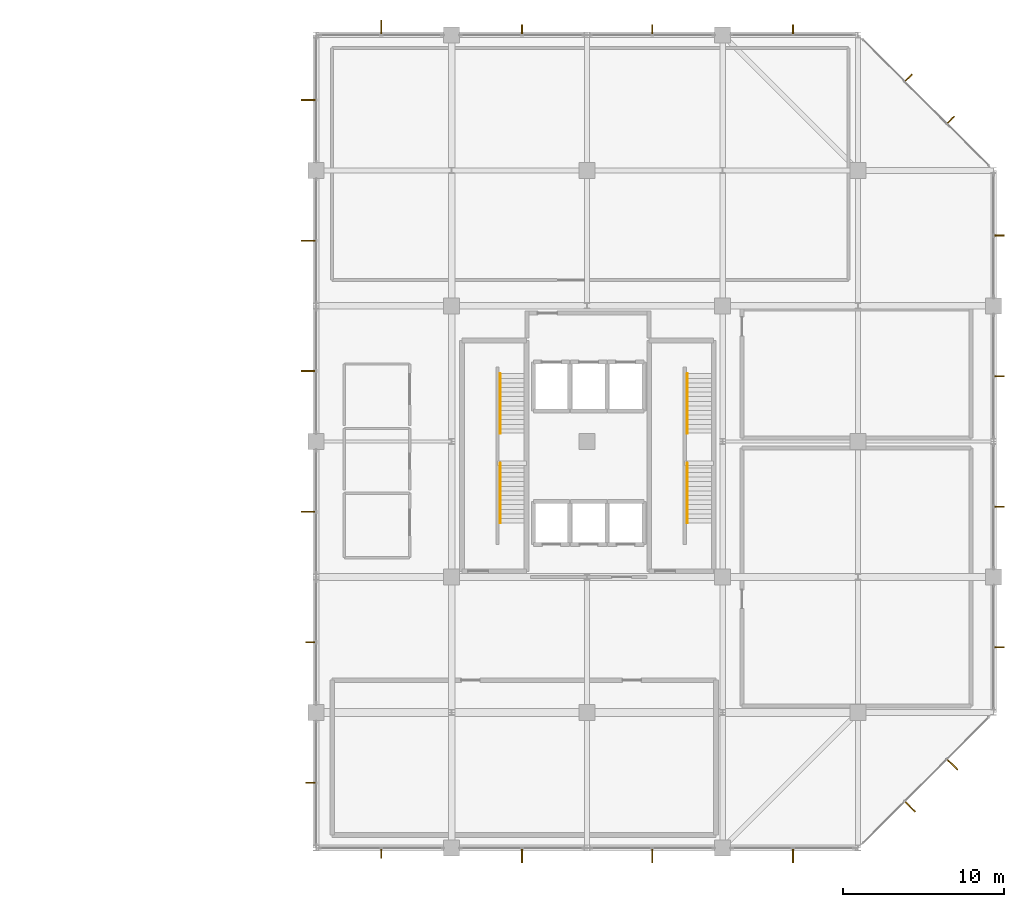
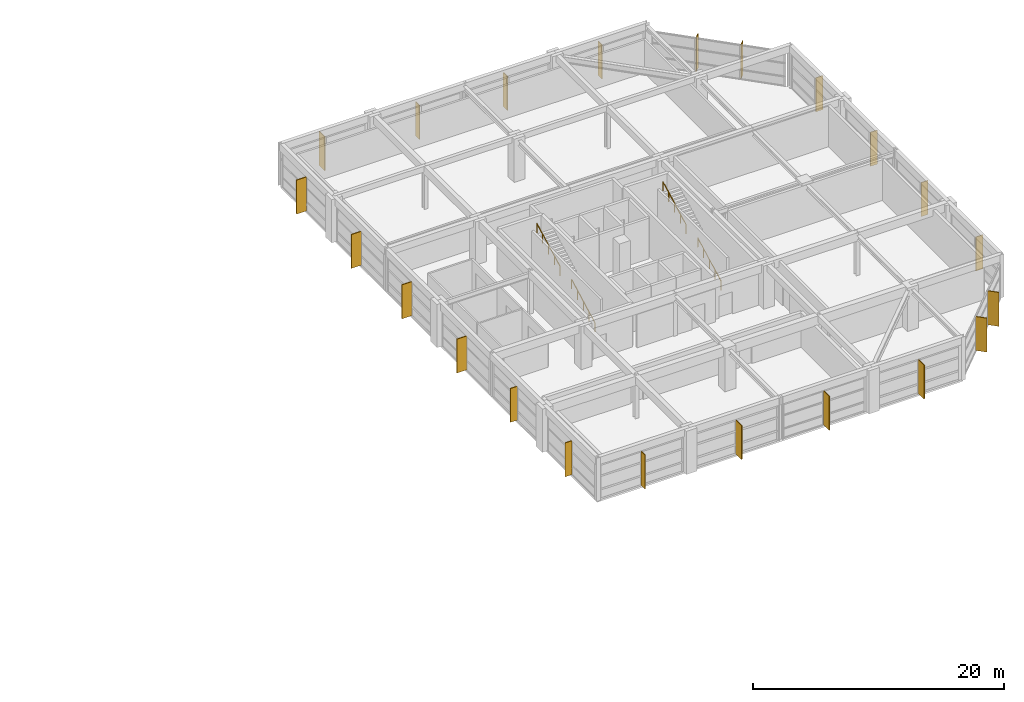
# One storey, part 32 of 32: 22 shading devices, 4 railings.
"""IFC4 building model written with IfcOpenShell, lengths in metres."""

from ifc_helpers import new_model, si_unit, direction, frame, origin, origin_2d, place, context, subcontext, project, spatial, rectangle, circle, extrude, material, type_object, element, save


model = new_model("IFC4")

# Units and contexts
model_context = context("Model", 3, precision=1e-05, world=origin(), true_north=direction((0.0, 1.0)))
body_context = subcontext(model_context, "Body", "Model", "MODEL_VIEW")
ifc_project = project(units=[si_unit("LENGTHUNIT", "METRE"), si_unit("AREAUNIT", "SQUARE_METRE"), si_unit("VOLUMEUNIT", "CUBIC_METRE"), si_unit("PLANEANGLEUNIT", "RADIAN"), si_unit("MASSUNIT", "GRAM", prefix="KILO")], contexts=[model_context])

# Site, building, storey
site_placement = place(None, origin())
site = spatial("IfcSite", under=ifc_project, at=site_placement, CompositionType="ELEMENT")
building_placement = place(site_placement, origin())
building = spatial("IfcBuilding", under=site, at=building_placement, Name="Xuanlan Plaza Opera House", CompositionType="ELEMENT")
storey_placement = place(building_placement, frame((0.0, 0.0, 40.5)))
storey = spatial("IfcBuildingStorey", under=building, at=storey_placement, Name="L09", CompositionType="ELEMENT", Elevation=40.5)

# Shading devices
ifc_material_1 = material(Name="Anodised Aluminium 6063-T6", Category="aluminium")
shading_device_type_1 = type_object("IfcShadingDeviceType", Name="ENV-SHD-BRS01", PredefinedType="JALOUSIE", material=ifc_material_1)
for number, where, z_axis, x_axis, name in (
    (1, (130.03759765625, 33.27490234375, 0.0400390625), (0.0, 0.0, 1.0), (0.0, -1.0, 0.0), "Parametric Sunshade Fin L09-0343"),
    (2, (168.324951171875, 46.03759765625, 0.0400390625), (0.0, 0.0, 1.0), (1.0, 0.0, 0.0), "Parametric Sunshade Fin L09-0349"),
    (3, (168.324951171875, 54.762451171875, 0.0400390625), (0.0, 0.0, 1.0), (1.0, 0.0, 0.0), "Parametric Sunshade Fin L09-0350"),
    (4, (168.324951171875, 62.83740234375, 0.0400390625), (0.0, 0.0, 1.0), (1.0, 0.0, 0.0), "Parametric Sunshade Fin L09-0351"),
    (5, (168.324951171875, 71.5625, 0.0400390625), (0.0, 0.0, 1.0), (1.0, 0.0, 0.0), "Parametric Sunshade Fin L09-0352"),
    (6, (165.33837890625, 78.72119140625, 0.0400390625), (0.0, 0.0, 1.0), (0.707106781187, 0.707106781187, 0.0), "Parametric Sunshade Fin L09-0353"),
    (7, (162.72119140625, 81.33837890625, 0.0400390625), (0.0, 0.0, 1.0), (0.707106781187, 0.707106781187, 0.0), "Parametric Sunshade Fin L09-0354"),
    (8, (155.5625, 84.324951171875, 0.0400390625), (0.0, 0.0, 1.0), (0.0, 1.0, 0.0), "Parametric Sunshade Fin L09-0355"),
    (9, (146.83740234375, 84.324951171875, 0.0400390625), (0.0, 0.0, 1.0), (0.0, 1.0, 0.0), "Parametric Sunshade Fin L09-0356"),
    (10, (138.762451171875, 84.324951171875, 0.0400390625), (0.0, 0.0, 1.0), (0.0, 1.0, 0.0), "Parametric Sunshade Fin L09-0357"),
    (11, (125.675048828125, 46.362548828125, 0.0400390625), (0.0, 0.0, 1.0), (-1.0, 0.0, 0.0), "Parametric Sunshade Fin L09-0363"),
    (12, (125.675048828125, 37.637451171875, 0.0400390625), (0.0, 0.0, 1.0), (-1.0, 0.0, 0.0), "Parametric Sunshade Fin L09-0364"),
):
    element("IfcShadingDevice", number, at=place(storey_placement, frame(where, z_axis=z_axis, x_axis=x_axis)), inside=storey, type_object=shading_device_type_1, Name=name, PredefinedType="JALOUSIE", context=body_context, shape_type="SweptSolid", body=[
        extrude(rectangle(XDim=0.639892578125, YDim=0.070068359375, at=origin_2d()), origin(), (0.0, 0.0, 1.0), 3.300048828125),
    ])
shading_device_type_2 = type_object("IfcShadingDeviceType", Name="ENV-SHD-BRS02", PredefinedType="JALOUSIE", material=ifc_material_1)
for number, where, z_axis, x_axis, name in (
    (13, (138.762451171875, 33.135009765625, 0.0400390625), (0.0, 0.0, 1.0), (0.0, -1.0, 0.0), "Parametric Sunshade Fin L09-0344"),
    (14, (146.83740234375, 33.135009765625, 0.0400390625), (0.0, 0.0, 1.0), (0.0, -1.0, 0.0), "Parametric Sunshade Fin L09-0345"),
    (15, (155.5625, 33.135009765625, 0.0400390625), (0.0, 0.0, 1.0), (0.0, -1.0, 0.0), "Parametric Sunshade Fin L09-0346"),
    (16, (162.820068359375, 36.16259765625, 0.0400390625), (0.0, 0.0, 1.0), (0.707106781187, -0.707106781187, 0.0), "Parametric Sunshade Fin L09-0347"),
    (17, (165.4375, 38.77978515625, 0.0400390625), (0.0, 0.0, 1.0), (0.707106781187, -0.707106781187, 0.0), "Parametric Sunshade Fin L09-0348"),
    (18, (130.03759765625, 84.465087890625, 0.0400390625), (0.0, 0.0, 1.0), (0.0, 1.0, 0.0), "Parametric Sunshade Fin L09-0358"),
    (19, (125.534912109375, 79.96240234375, 0.0400390625), (0.0, 0.0, 1.0), (-1.0, 0.0, 0.0), "Parametric Sunshade Fin L09-0359"),
    (20, (125.534912109375, 71.237548828125, 0.0400390625), (0.0, 0.0, 1.0), (-1.0, 0.0, 0.0), "Parametric Sunshade Fin L09-0360"),
    (21, (125.534912109375, 63.16259765625, 0.0400390625), (0.0, 0.0, 1.0), (-1.0, 0.0, 0.0), "Parametric Sunshade Fin L09-0361"),
    (22, (125.534912109375, 54.4375, 0.0400390625), (0.0, 0.0, 1.0), (-1.0, 0.0, 0.0), "Parametric Sunshade Fin L09-0362"),
):
    element("IfcShadingDevice", number, at=place(storey_placement, frame(where, z_axis=z_axis, x_axis=x_axis)), inside=storey, type_object=shading_device_type_2, Name=name, PredefinedType="JALOUSIE", context=body_context, shape_type="SweptSolid", body=[
        extrude(rectangle(XDim=0.919921875, YDim=0.080078125, at=origin_2d()), origin(), (0.0, 0.0, 1.0), 3.300048828125),
    ])

# Railings
ifc_material_2 = material(Name="Stainless Steel S30408", Category="steel")
railing_type = type_object("IfcRailingType", Name="INT-RL-HR01", PredefinedType="HANDRAIL", material=ifc_material_2)
railing_1_placement = place(storey_placement, frame((137.409912109375, 53.739990234375, 0.14990234375)))
element("IfcRailing", 23, at=railing_1_placement, inside=storey, type_object=railing_type, Name="Stair Handrail ST-T1 L09 Flight 1", PredefinedType="HANDRAIL", context=body_context, shape_type="SweptSolid", body=[
    extrude(circle(Radius=0.02392578125, at=origin_2d()), frame((0.0, 0.0, 0.8759765625), z_axis=(0.0, 0.884903043767, 0.46577527106), x_axis=(-1.0, 0.0, 0.0)), (0.0, 0.0, 1.0), 4.18701171875),
    extrude(circle(Radius=0.02099609375, at=origin_2d()), origin(), (0.0, 0.0, 1.0), 0.851806640625),
    extrude(circle(Radius=0.02099609375, at=origin_2d()), frame((0.0, 0.92626953125, 0.487548828125)), (0.0, 0.0, 1.0), 0.851806640625),
    extrude(circle(Radius=0.02099609375, at=origin_2d()), frame((0.0, 1.8525390625, 0.97509765625)), (0.0, 0.0, 1.0), 0.851806640625),
    extrude(circle(Radius=0.02099609375, at=origin_2d()), frame((0.0, 2.77880859375, 1.462646484375)), (0.0, 0.0, 1.0), 0.851806640625),
    extrude(circle(Radius=0.02099609375, at=origin_2d()), frame((0.0, 3.705078125, 1.9501953125)), (0.0, 0.0, 1.0), 0.851806640625),
])
railing_2_placement = place(storey_placement, frame((137.409912109375, 59.294921875, 2.25)))
element("IfcRailing", 24, at=railing_2_placement, inside=storey, type_object=railing_type, Name="Stair Handrail ST-T1 L09 Flight 2", PredefinedType="HANDRAIL", context=body_context, shape_type="SweptSolid", body=[
    extrude(circle(Radius=0.02392578125, at=origin_2d()), frame((0.0, 0.0, 0.8759765625), z_axis=(0.0, 0.88492707638, 0.465729609848), x_axis=(-1.0, 0.0, 0.0)), (0.0, 0.0, 1.0), 4.186767578125),
    extrude(circle(Radius=0.02099609375, at=origin_2d()), origin(), (0.0, 0.0, 1.0), 0.851806640625),
    extrude(circle(Radius=0.02099609375, at=origin_2d()), frame((0.0, 0.92626953125, 0.487548828125)), (0.0, 0.0, 1.0), 0.851806640625),
    extrude(circle(Radius=0.02099609375, at=origin_2d()), frame((0.0, 1.8525390625, 0.97509765625)), (0.0, 0.0, 1.0), 0.851806640625),
    extrude(circle(Radius=0.02099609375, at=origin_2d()), frame((0.0, 2.77880859375, 1.46240234375)), (0.0, 0.0, 1.0), 0.851806640625),
    extrude(circle(Radius=0.02099609375, at=origin_2d()), frame((0.0, 3.705078125, 1.949951171875)), (0.0, 0.0, 1.0), 0.851806640625),
])
railing_3_placement = place(storey_placement, frame((149.010009765625, 53.739990234375, 0.14990234375)))
element("IfcRailing", 25, at=railing_3_placement, inside=storey, type_object=railing_type, Name="Stair Handrail ST-T2 L09 Flight 1", PredefinedType="HANDRAIL", context=body_context, shape_type="SweptSolid", body=[
    extrude(circle(Radius=0.02392578125, at=origin_2d()), frame((0.0, 0.0, 0.8759765625), z_axis=(0.0, 0.884903043767, 0.46577527106), x_axis=(-1.0, 0.0, 0.0)), (0.0, 0.0, 1.0), 4.18701171875),
    extrude(circle(Radius=0.02099609375, at=origin_2d()), origin(), (0.0, 0.0, 1.0), 0.851806640625),
    extrude(circle(Radius=0.02099609375, at=origin_2d()), frame((0.0, 0.92626953125, 0.487548828125)), (0.0, 0.0, 1.0), 0.851806640625),
    extrude(circle(Radius=0.02099609375, at=origin_2d()), frame((0.0, 1.8525390625, 0.97509765625)), (0.0, 0.0, 1.0), 0.851806640625),
    extrude(circle(Radius=0.02099609375, at=origin_2d()), frame((0.0, 2.77880859375, 1.462646484375)), (0.0, 0.0, 1.0), 0.851806640625),
    extrude(circle(Radius=0.02099609375, at=origin_2d()), frame((0.0, 3.705078125, 1.9501953125)), (0.0, 0.0, 1.0), 0.851806640625),
])
railing_4_placement = place(storey_placement, frame((149.010009765625, 59.294921875, 2.25)))
element("IfcRailing", 26, at=railing_4_placement, inside=storey, type_object=railing_type, Name="Stair Handrail ST-T2 L09 Flight 2", PredefinedType="HANDRAIL", context=body_context, shape_type="SweptSolid", body=[
    extrude(circle(Radius=0.02392578125, at=origin_2d()), frame((0.0, 0.0, 0.8759765625), z_axis=(0.0, 0.88492707638, 0.465729609848), x_axis=(-1.0, 0.0, 0.0)), (0.0, 0.0, 1.0), 4.186767578125),
    extrude(circle(Radius=0.02099609375, at=origin_2d()), origin(), (0.0, 0.0, 1.0), 0.851806640625),
    extrude(circle(Radius=0.02099609375, at=origin_2d()), frame((0.0, 0.92626953125, 0.487548828125)), (0.0, 0.0, 1.0), 0.851806640625),
    extrude(circle(Radius=0.02099609375, at=origin_2d()), frame((0.0, 1.8525390625, 0.97509765625)), (0.0, 0.0, 1.0), 0.851806640625),
    extrude(circle(Radius=0.02099609375, at=origin_2d()), frame((0.0, 2.77880859375, 1.46240234375)), (0.0, 0.0, 1.0), 0.851806640625),
    extrude(circle(Radius=0.02099609375, at=origin_2d()), frame((0.0, 3.705078125, 1.949951171875)), (0.0, 0.0, 1.0), 0.851806640625),
])

save(model, "model.ifc")
